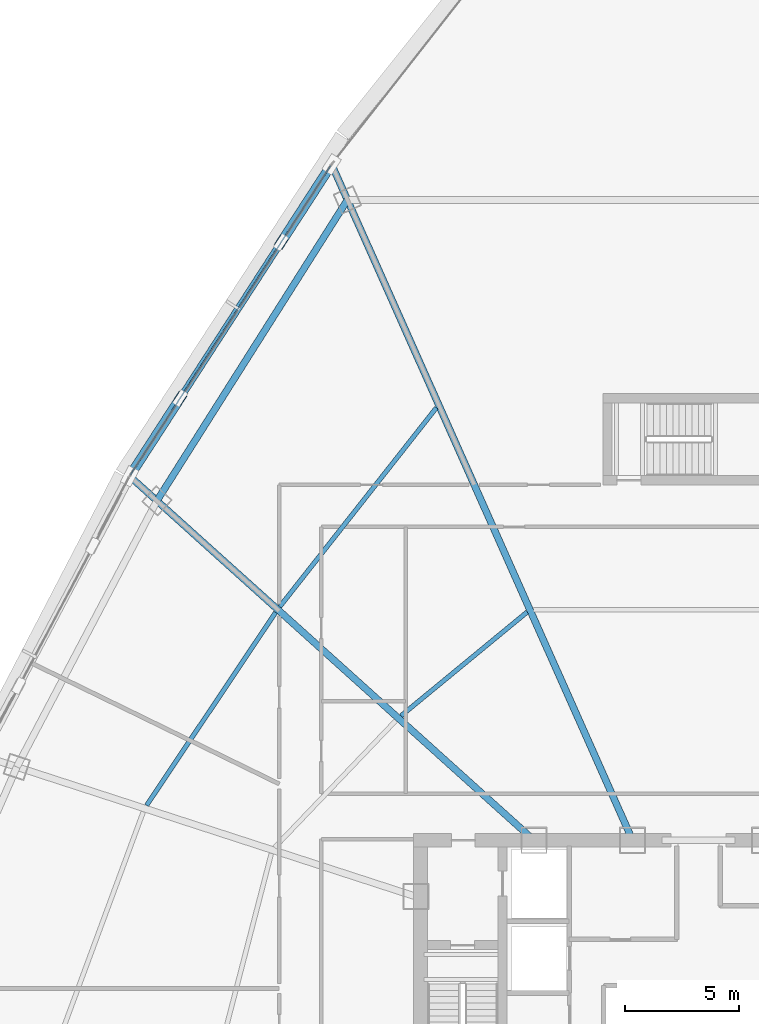
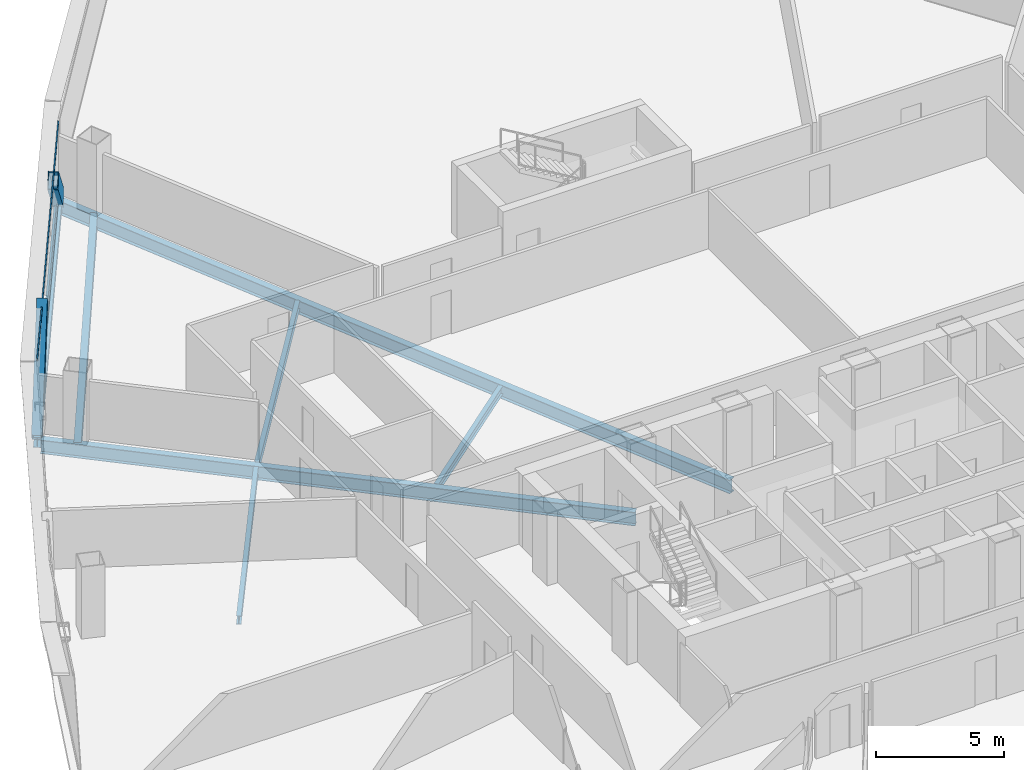
# One storey, part 17 of 39: 7 beams, 4 members, 1 element without a shape of its own.
"""IFC4 building model written with IfcOpenShell, lengths in metres."""

import ifcopenshell
import ifcopenshell.guid

model = None  # the IFC model being written
_history = None  # IfcOwnerHistory: only IFC2X3 demands one
_inside = {}  # id of a spatial element -> (the spatial element, [elements in it])
_under = {}  # id of a project, library or spatial element -> (it, [spatial elements below it])
_declared = {}  # id of a project -> (the project, [libraries it declares])
_typed = {}  # id of a type object -> (the type object, [elements of that type])
_made_of = {}  # id of a material, layer set ... -> (it, [elements and type objects made of it])


def new_model(schema):
    """Start an empty IFC model of exactly this schema.

    Asked for "IFC4X3", IfcOpenShell would pick the latest addendum, in which some entities
    have other attributes; the version numbers below select the first issue.
    IFC2X3 requires an IfcOwnerHistory on every rooted entity: one is made here for all.
    """
    global model, _history
    if schema == "IFC4X3":
        model = ifcopenshell.file(schema_version=(4, 3, 0, 0))
    else:
        model = ifcopenshell.file(schema=schema)
    _inside.clear()
    _under.clear()
    _declared.clear()
    _typed.clear()
    _made_of.clear()
    _history = None
    if model.schema == "IFC2X3":
        org = make("IfcOrganization", Name="unknown")
        user = make(
            "IfcPersonAndOrganization",
            ThePerson=make("IfcPerson", FamilyName="unknown"),
            TheOrganization=org,
        )
        app = make(
            "IfcApplication",
            ApplicationDeveloper=org,
            Version="unknown",
            ApplicationFullName="unknown",
            ApplicationIdentifier="unknown",
        )
        _history = make(
            "IfcOwnerHistory",
            OwningUser=user,
            OwningApplication=app,
            ChangeAction="ADDED",
            CreationDate=0,
        )
    return model


def make(cls, **values):
    """One entity of the class cls with the attributes given. An attribute that is None is left unset."""
    return model.create_entity(
        cls, **{name: value for name, value in values.items() if value is not None}
    )


def rooted(cls, **values):
    """An entity with a GlobalId (a new one), such as an element, a storey or a relation."""
    return make(cls, GlobalId=ifcopenshell.guid.new(), OwnerHistory=_history, **values)


def si_unit(unit_type, name, prefix=None):
    """IfcSIUnit, for example si_unit("LENGTHUNIT", "METRE", prefix="MILLI")."""
    return make("IfcSIUnit", UnitType=unit_type, Prefix=prefix, Name=name)


def assignment(units):
    """IfcUnitAssignment: the units of a project."""
    return None if units is None else make("IfcUnitAssignment", Units=units)


def point(xyz):
    """IfcCartesianPoint."""
    return None if xyz is None else make("IfcCartesianPoint", Coordinates=xyz)


def direction(xyz):
    """IfcDirection."""
    return None if xyz is None else make("IfcDirection", DirectionRatios=xyz)


def frame(location, z_axis=None, x_axis=None):
    """IfcAxis2Placement3D, a coordinate frame: its origin and axes. An axis left out is left unset."""
    return make(
        "IfcAxis2Placement3D",
        Location=point(location),
        Axis=direction(z_axis),
        RefDirection=direction(x_axis),
    )


def frame_2d(location, x_axis=None):
    """IfcAxis2Placement2D, a coordinate frame in the plane: its origin and x axis."""
    return make(
        "IfcAxis2Placement2D", Location=point(location), RefDirection=direction(x_axis)
    )


def origin():
    """The frame at (0, 0, 0) with its axes left unset."""
    return frame((0.0, 0.0, 0.0))


def origin_2d():
    """The frame at (0, 0) in the plane with its x axis left unset."""
    return frame_2d((0.0, 0.0))


def place(relative_to, where):
    """IfcLocalPlacement: puts the frame where relative to a parent placement (None: the world)."""
    return make(
        "IfcLocalPlacement", PlacementRelTo=relative_to, RelativePlacement=where
    )


def context(
    kind, dimensions, precision=None, world=None, true_north=None, identifier=None
):
    """IfcGeometricRepresentationContext, for example the 3D "Model" context."""
    return make(
        "IfcGeometricRepresentationContext",
        ContextIdentifier=identifier,
        ContextType=kind,
        CoordinateSpaceDimension=dimensions,
        Precision=precision,
        WorldCoordinateSystem=world,
        TrueNorth=true_north,
    )


def subcontext(parent, identifier, kind, view, scale=None):
    """IfcGeometricRepresentationSubContext, for example "Body" below "Model"."""
    return make(
        "IfcGeometricRepresentationSubContext",
        ContextIdentifier=identifier,
        ContextType=kind,
        ParentContext=parent,
        TargetScale=scale,
        TargetView=view,
    )


def project(units=None, contexts=None):
    """IfcProject with its units and contexts."""
    return rooted(
        "IfcProject",
        Name="project",
        RepresentationContexts=contexts,
        UnitsInContext=assignment(units),
    )


def spatial(cls, under=None, at=None, **own):
    """A site, building, storey or space (cls), placed at a placement, below another one or the project."""
    s = rooted(cls, ObjectPlacement=at, **own)
    if under is not None:
        _under.setdefault(under.id(), (under, []))[1].append(s)
    return s


def profile(cls, at=None, kind="AREA", **sizes):
    """A parametric profile (cls). Its sizes go by their IFC names, for example OverallWidth=200.0."""
    return make(cls, ProfileType=kind, Position=at, **sizes)


def hollow_rectangle(**sizes):
    """IfcRectangleHollowProfileDef."""
    return profile("IfcRectangleHollowProfileDef", **sizes)


def i_section(**sizes):
    """IfcIShapeProfileDef."""
    return profile("IfcIShapeProfileDef", **sizes)


def extrude(swept, where, along, depth):
    """IfcExtrudedAreaSolid: the profile swept, set in the frame where, extruded along a direction by depth."""
    return make(
        "IfcExtrudedAreaSolid",
        SweptArea=swept,
        Position=where,
        ExtrudedDirection=direction(along),
        Depth=depth,
    )


def shape(context_of_items, identifier, shape_type, items):
    """IfcShapeRepresentation: the items that make up one representation, for example the "Body"."""
    return make(
        "IfcShapeRepresentation",
        ContextOfItems=context_of_items,
        RepresentationIdentifier=identifier,
        RepresentationType=shape_type,
        Items=items,
    )


def source(mapping_origin, context_of_items, identifier, shape_type, items):
    """IfcRepresentationMap: a shape defined once, which mapped items show again and again."""
    return make(
        "IfcRepresentationMap",
        MappingOrigin=mapping_origin,
        MappedRepresentation=shape(context_of_items, identifier, shape_type, items),
    )


def transform(
    local_origin,
    x_axis=None,
    y_axis=None,
    z_axis=None,
    scale=None,
    scale2=None,
    scale3=None,
    uniform=True,
):
    """IfcCartesianTransformationOperator3D, or its non-uniform kind. x_axis, y_axis, z_axis: its Axis1, 2, 3."""
    if uniform:
        return make(
            "IfcCartesianTransformationOperator3D",
            Axis1=direction(x_axis),
            Axis2=direction(y_axis),
            LocalOrigin=point(local_origin),
            Scale=scale,
            Axis3=direction(z_axis),
        )
    return make(
        "IfcCartesianTransformationOperator3DnonUniform",
        Axis1=direction(x_axis),
        Axis2=direction(y_axis),
        LocalOrigin=point(local_origin),
        Scale=scale,
        Axis3=direction(z_axis),
        Scale2=scale2,
        Scale3=scale3,
    )


def mapped(mapping_source, mapping_target):
    """IfcMappedItem: shows the shape of a source again, moved by a transform."""
    return make(
        "IfcMappedItem", MappingSource=mapping_source, MappingTarget=mapping_target
    )


def material(Name=None, Category=None):
    """IfcMaterial."""
    return make("IfcMaterial", Name=Name, Category=Category)


def layer(
    of_material, thickness, ventilated=None, Name=None, Category=None, Priority=None
):
    """IfcMaterialLayer: one layer of a wall or slab, of a material (None: an air gap)."""
    return make(
        "IfcMaterialLayer",
        Material=of_material,
        LayerThickness=thickness,
        IsVentilated=ventilated,
        Name=Name,
        Category=Category,
        Priority=Priority,
    )


def layer_set(layers, Name=None):
    """IfcMaterialLayerSet."""
    return make("IfcMaterialLayerSet", MaterialLayers=layers, LayerSetName=Name)


def material_profile(
    of_material, cross_section, Name=None, Category=None, Priority=None
):
    """IfcMaterialProfile: a cross section and its material."""
    return make(
        "IfcMaterialProfile",
        Name=Name,
        Material=of_material,
        Profile=cross_section,
        Priority=Priority,
        Category=Category,
    )


def profile_set(profiles, Name=None, composite=None):
    """IfcMaterialProfileSet."""
    return make(
        "IfcMaterialProfileSet",
        Name=Name,
        MaterialProfiles=profiles,
        CompositeProfile=composite,
    )


def made_of(thing, what):
    """Note that an element or type object is made of a material, layer set ...; save() writes the relation."""
    if what is not None:
        _made_of.setdefault(what.id(), (what, []))[1].append(thing)
    return thing


def type_object(cls, material=None, **own):
    """A type object (cls), such as IfcWallType, which elements share."""
    return made_of(rooted(cls, **own), material)


def element(
    cls,
    number,
    at=None,
    inside=None,
    cuts=None,
    type_object=None,
    material=None,
    context=None,
    identifier="Body",
    shape_type=None,
    held_by="IfcProductDefinitionShape",
    body=None,
    shapes=None,
    **own,
):
    """One element of the class cls, such as IfcWall. Its Tag is "e" and its number.

    at: its placement. inside: the storey or other place that contains it. cuts: it is an
    opening in that element (IfcRelVoidsElement). A single representation is given by context,
    identifier, shape_type and body (its items); several are given by shapes. held_by: the class
    of the entity that holds the representations. save() writes the other relations.
    """
    e = rooted(cls, Tag="e%d" % number, ObjectPlacement=at, **own)
    if body is not None:
        shapes = [shape(context, identifier, shape_type, body)]
    if shapes is not None:
        e.Representation = make(held_by, Representations=shapes)
    if inside is not None:
        _inside.setdefault(inside.id(), (inside, []))[1].append(e)
    if cuts is not None:
        rooted(
            "IfcRelVoidsElement", RelatingBuildingElement=cuts, RelatedOpeningElement=e
        )
    if type_object is not None:
        _typed.setdefault(type_object.id(), (type_object, []))[1].append(e)
    return made_of(e, material)


def aggregate(whole, parts):
    """IfcRelAggregates: a whole, such as a stair, and the parts it consists of."""
    return rooted("IfcRelAggregates", RelatingObject=whole, RelatedObjects=parts)


def save(model, path):
    """Write the relations noted so far, then the file.

    IfcRelAggregates (storeys below a building ...), IfcRelContainedInSpatialStructure (elements
    in a storey), IfcRelDefinesByType, IfcRelAssociatesMaterial and IfcRelDeclares: one each for
    every whole, place, type object, material and project.
    """
    for whole, parts in _under.values():
        aggregate(whole, parts)
    for where, things in _inside.values():
        rooted(
            "IfcRelContainedInSpatialStructure",
            RelatedElements=things,
            RelatingStructure=where,
        )
    for kind, things in _typed.values():
        rooted("IfcRelDefinesByType", RelatedObjects=things, RelatingType=kind)
    for what, things in _made_of.values():
        rooted("IfcRelAssociatesMaterial", RelatedObjects=things, RelatingMaterial=what)
    for by, libraries in _declared.values():
        rooted("IfcRelDeclares", RelatingContext=by, RelatedDefinitions=libraries)
    model.write(path)


model = new_model("IFC4")

# Units and contexts
model_context = context("Model", 3, precision=1e-05, world=origin(), true_north=direction((0.0, 1.0)))
body_context = subcontext(model_context, "Body", "Model", "MODEL_VIEW")
ifc_project = project(units=[si_unit("LENGTHUNIT", "METRE"), si_unit("AREAUNIT", "SQUARE_METRE"), si_unit("VOLUMEUNIT", "CUBIC_METRE"), si_unit("PLANEANGLEUNIT", "RADIAN"), si_unit("MASSUNIT", "GRAM", prefix="KILO"), si_unit("THERMODYNAMICTEMPERATUREUNIT", "KELVIN"), si_unit("POWERUNIT", "WATT")], contexts=[model_context])

# Site, building, storey
site_placement = place(None, origin())
site = spatial("IfcSite", under=ifc_project, at=site_placement, CompositionType="ELEMENT")
building_placement = place(site_placement, origin())
building = spatial("IfcBuilding", under=site, at=building_placement, Name="Yunzhuo Pagoda Commons", CompositionType="ELEMENT")
storey_placement = place(building_placement, frame((0.0, 0.0, 144.550048828125)))
storey = spatial("IfcBuildingStorey", under=building, at=storey_placement, Name="L36", CompositionType="ELEMENT", Elevation=144.550048828125)

# Beams
ifc_material_1 = material(Name="Structural steel Q355B", Category="steel")
ifc_material_profile_1 = material_profile(ifc_material_1, i_section(OverallWidth=0.199951171875, OverallDepth=0.39990234375, WebThickness=0.008056640625, FlangeThickness=0.012939453125, at=origin_2d()), Name="Structural steel Q355B")
ifc_profile_set_1 = profile_set([ifc_material_profile_1], Name="Structural steel Q355B")
beam_type_1 = type_object("IfcBeamType", Name="B-JS1 Joist HN 400x200x8x13", PredefinedType="JOIST", material=ifc_profile_set_1)
shared_shape_1 = source(origin(), body_context, "Body", "SweptSolid", [
    extrude(i_section(OverallWidth=0.199951171875, OverallDepth=0.39990234375, WebThickness=0.008056640625, FlangeThickness=0.012939453125, at=origin_2d()), origin(), (0.0, 0.0, 1.0), 10.186767578125),
])
beam_1_placement = place(storey_placement, frame((29.440673828125, 50.19921875, -0.4599609375), z_axis=(-0.555872145938, -0.831267801235, 0.0), x_axis=(0.831267801235, -0.555872145938, 0.0)))
element("IfcBeam", 1, at=beam_1_placement, inside=storey, type_object=beam_type_1, Name="L36 composite ring joist 2.10", PredefinedType="JOIST", context=body_context, shape_type="MappedRepresentation", body=[
    mapped(shared_shape_1, transform((0.0, 0.0, 0.0), scale=1.0)),
])
ifc_material_profile_2 = material_profile(ifc_material_1, i_section(OverallWidth=0.300048828125, OverallDepth=0.64990234375, WebThickness=0.012939453125, FlangeThickness=0.02197265625, at=origin_2d()), Name="Structural steel Q355B")
ifc_profile_set_2 = profile_set([ifc_material_profile_2], Name="Structural steel Q355B")
beam_type_2 = type_object("IfcBeamType", Name="B-RG2 Beam HN 650x300x13x22", PredefinedType="BEAM", material=ifc_profile_set_2)
shared_shape_2 = source(origin(), body_context, "Body", "SweptSolid", [
    extrude(i_section(OverallWidth=0.300048828125, OverallDepth=0.64990234375, WebThickness=0.012939453125, FlangeThickness=0.02197265625, at=origin_2d()), origin(), (0.0, 0.0, 1.0), 15.627685546875),
])
beam_2_placement = place(storey_placement, frame((32.593994140625, 68.302734375, -0.5849609375), z_axis=(-0.534952471728, -0.844882153316, 0.0), x_axis=(0.844882153316, -0.534952471728, 0.0)))
element("IfcBeam", 2, at=beam_2_placement, inside=storey, type_object=beam_type_2, Name="L36 column-ring beam 9", PredefinedType="BEAM", context=body_context, shape_type="MappedRepresentation", body=[
    mapped(shared_shape_2, transform((0.0, 0.0, 0.0), scale=1.0)),
])
shared_shape_3 = source(origin(), body_context, "Body", "SweptSolid", [
    extrude(i_section(OverallWidth=0.199951171875, OverallDepth=0.39990234375, WebThickness=0.008056640625, FlangeThickness=0.012939453125, at=origin_2d()), origin(), (0.0, 0.0, 1.0), 7.163818359375),
])
beam_3_placement = place(storey_placement, frame((40.47900390625, 50.21630859375, -0.4599609375), z_axis=(-0.772234119563, -0.635338071095, 0.0), x_axis=(0.635338071095, -0.772234119563, 0.0)))
element("IfcBeam", 3, at=beam_3_placement, inside=storey, type_object=beam_type_1, Name="L36 composite ring joist 1.9", PredefinedType="JOIST", context=body_context, shape_type="MappedRepresentation", body=[
    mapped(shared_shape_3, transform((0.0, 0.0, 0.0), scale=1.0)),
])
shared_shape_4 = source(origin(), body_context, "Body", "SweptSolid", [
    extrude(i_section(OverallWidth=0.199951171875, OverallDepth=0.39990234375, WebThickness=0.008056640625, FlangeThickness=0.012939453125, at=origin_2d()), origin(), (0.0, 0.0, 1.0), 11.109375),
])
beam_4_placement = place(storey_placement, frame((36.49951171875, 59.18505859375, -0.4599609375), z_axis=(-0.618600596935, -0.785705607382, 0.0), x_axis=(0.785705607382, -0.618600596935, 0.0)))
element("IfcBeam", 4, at=beam_4_placement, inside=storey, type_object=beam_type_1, Name="L36 composite ring joist 2.9", PredefinedType="JOIST", context=body_context, shape_type="MappedRepresentation", body=[
    mapped(shared_shape_4, transform((0.0, 0.0, 0.0), scale=1.0)),
])
shared_shape_5 = source(origin(), body_context, "Body", "SweptSolid", [
    extrude(i_section(OverallWidth=0.300048828125, OverallDepth=0.64990234375, WebThickness=0.012939453125, FlangeThickness=0.02197265625, at=origin_2d()), origin(), (0.0, 0.0, 1.0), 23.724365234375),
])
beam_5_placement = place(storey_placement, frame((23.150390625, 56.07470703125, -0.5849609375), z_axis=(0.74314317805, -0.669132436008, 0.0), x_axis=(0.669132436008, 0.74314317805, 0.0)))
element("IfcBeam", 5, at=beam_5_placement, inside=storey, type_object=beam_type_2, Name="L36 radial floor girder F3C2", PredefinedType="BEAM", context=body_context, shape_type="MappedRepresentation", body=[
    mapped(shared_shape_5, transform((0.0, 0.0, 0.0), scale=1.0)),
])
shared_shape_6 = source(origin(), body_context, "Body", "SweptSolid", [
    extrude(i_section(OverallWidth=0.300048828125, OverallDepth=0.64990234375, WebThickness=0.012939453125, FlangeThickness=0.02197265625, at=origin_2d()), origin(), (0.0, 0.0, 1.0), 32.3154296875),
])
beam_6_placement = place(storey_placement, frame((31.962158203125, 69.7216796875, -0.5849609375), z_axis=(0.406733504059, -0.913546855217, 0.0), x_axis=(0.913546855217, 0.406733504059, 0.0)))
element("IfcBeam", 6, at=beam_6_placement, inside=storey, type_object=beam_type_2, Name="L36 radial floor girder F3C1", PredefinedType="BEAM", context=body_context, shape_type="MappedRepresentation", body=[
    mapped(shared_shape_6, transform((0.0, 0.0, 0.0), scale=1.0)),
])
ifc_material_profile_3 = material_profile(ifc_material_1, i_section(OverallWidth=0.300048828125, OverallDepth=0.488037109375, WebThickness=0.010986328125, FlangeThickness=0.01806640625, at=origin_2d()), Name="Structural steel Q355B")
ifc_profile_set_3 = profile_set([ifc_material_profile_3], Name="Structural steel Q355B")
beam_type_3 = type_object("IfcBeamType", Name="B-SP1 Beam HM 488x300x11x18", PredefinedType="BEAM", material=ifc_profile_set_3)
shared_shape_7 = source(origin(), body_context, "Body", "SweptSolid", [
    extrude(i_section(OverallWidth=0.300048828125, OverallDepth=0.488037109375, WebThickness=0.010986328125, FlangeThickness=0.01806640625, at=origin_2d()), origin(), (0.0, 0.0, 1.0), 16.3046875),
])
beam_7_placement = place(storey_placement, frame((31.899169921875, 69.863037109375, -0.504150390625), z_axis=(-0.543635534305, -0.839321396034, 0.0), x_axis=(0.839321396034, -0.543635534305, 0.0)))
element("IfcBeam", 7, at=beam_7_placement, inside=storey, type_object=beam_type_3, Name="L36 facade edge spandrel beam F3.1", PredefinedType="BEAM", context=body_context, shape_type="MappedRepresentation", body=[
    mapped(shared_shape_7, transform((0.0, 0.0, 0.0), scale=1.0)),
])

# Members
ifc_material_2 = material(Name="Structural steel Q420B", Category="steel")
ifc_material_profile_4 = material_profile(ifc_material_2, hollow_rectangle(XDim=0.419921875, YDim=0.719970703125, WallThickness=0.028076171875, at=origin_2d()), Name="Structural steel Q420B")
ifc_profile_set_4 = profile_set([ifc_material_profile_4], Name="Structural steel Q420B")
member_type_1 = type_object("IfcMemberType", Name="M-DL1 Brace BOX 720x420x28", PredefinedType="BRACE", material=ifc_profile_set_4)
shared_shape_8 = source(origin(), body_context, "Body", "SweptSolid", [
    extrude(hollow_rectangle(XDim=0.419921875, YDim=0.719970703125, WallThickness=0.028076171875, at=origin_2d()), origin(), (0.0, 0.0, 1.0), 5.49169921875),
])
member_1_placement = place(storey_placement, frame((23.035400390625, 56.17822265625, -0.260009765625), z_axis=(0.403492844042, 0.623022115074, 0.670102207828), x_axis=(-0.839348334956, 0.543593940921, 0.0)))
element("IfcMember", 8, at=member_1_placement, inside=storey, type_object=member_type_1, Name="L36 facade diamond brace F3.1R", PredefinedType="BRACE", context=body_context, shape_type="MappedRepresentation", body=[
    mapped(shared_shape_8, transform((0.0, 0.0, 0.0), scale=1.0)),
])
shared_shape_9 = source(origin(), body_context, "Body", "SweptSolid", [
    extrude(hollow_rectangle(XDim=0.419921875, YDim=0.719970703125, WallThickness=0.028076171875, at=origin_2d()), origin(), (0.0, 0.0, 1.0), 5.4912109375),
])
member_2_placement = place(storey_placement, frame((31.899169921875, 69.863037109375, -0.260009765625), z_axis=(-0.403515196009, -0.622967708955, 0.670139328938), x_axis=(0.839312933198, -0.543648599893, 0.0)))
element("IfcMember", 9, at=member_2_placement, inside=storey, type_object=member_type_1, Name="L36 facade diamond brace F3.1L", PredefinedType="BRACE", context=body_context, shape_type="MappedRepresentation", body=[
    mapped(shared_shape_9, transform((0.0, 0.0, 0.0), scale=1.0)),
])

# Curtain wall, members
ifc_material_3 = material(Name="Anodized aluminium 6063-T6", Category="aluminium")
ifc_layer = layer(ifc_material_3, 0.14990234375)
ifc_layer_set = layer_set([ifc_layer], Name="Anodized aluminium 6063-T6")
curtain_wall_type = type_object("IfcCurtainWallType", Name="CW-MID Mid-Zone Ribbon Curtain Wall", PredefinedType="NOTDEFINED", material=ifc_layer_set)
curtain_wall_placement = place(storey_placement, origin())
curtain_wall = element("IfcCurtainWall", 10, at=curtain_wall_placement, inside=storey, type_object=curtain_wall_type, Name="L36 curtain wall CW-L36-F3B2", PredefinedType="NOTDEFINED")
ifc_material_profile_5 = material_profile(ifc_material_3, hollow_rectangle(XDim=0.054931640625, YDim=0.1298828125, WallThickness=0.00341796875, at=origin_2d()), Name="Anodized aluminium 6063-T6")
ifc_profile_set_5 = profile_set([ifc_material_profile_5], Name="Anodized aluminium 6063-T6")
member_type_2 = type_object("IfcMemberType", Name="CW-MID-T Transom RHS 130x55x3.5", PredefinedType="USERDEFINED", material=ifc_profile_set_5)
shared_shape_10 = source(origin(), body_context, "Body", "SweptSolid", [
    extrude(hollow_rectangle(XDim=0.054931640625, YDim=0.1298828125, WallThickness=0.00341796875, at=origin_2d()), origin(), (0.0, 0.0, 1.0), 16.1845703125),
])
member_3_placement = place(storey_placement, frame((31.866455078125, 69.812744140625, 0.02734375), z_axis=(-0.543640885625, -0.839317929915, 0.0), x_axis=(0.839317929915, -0.543640885625, 0.0)))
member_3 = element("IfcMember", 11, at=member_3_placement, type_object=member_type_2, Name="CW transom 1.1", ObjectType="TRANSOM", PredefinedType="USERDEFINED", context=body_context, shape_type="MappedRepresentation", body=[
    mapped(shared_shape_10, transform((0.0, 0.0, 0.0), scale=1.0)),
])
member_4_placement = place(storey_placement, frame((31.866455078125, 69.812744140625, 3.392333984375), z_axis=(-0.543640885625, -0.839317929915, 0.0), x_axis=(0.839317929915, -0.543640885625, 0.0)))
member_4 = element("IfcMember", 12, at=member_4_placement, type_object=member_type_2, Name="CW transom 1.2", ObjectType="TRANSOM", PredefinedType="USERDEFINED", context=body_context, shape_type="MappedRepresentation", body=[
    mapped(shared_shape_10, transform((0.0, 0.0, 0.0), scale=1.0)),
])
aggregate(curtain_wall, [member_3, member_4])

save(model, "model.ifc")
